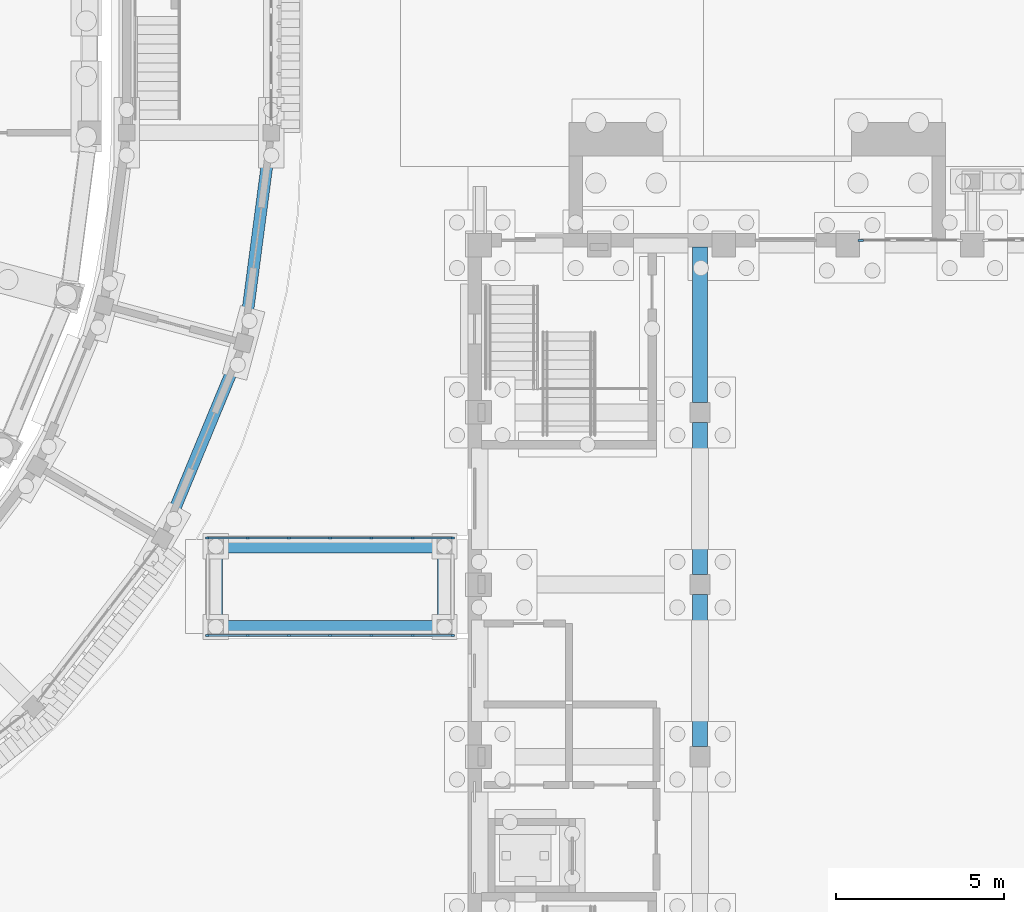
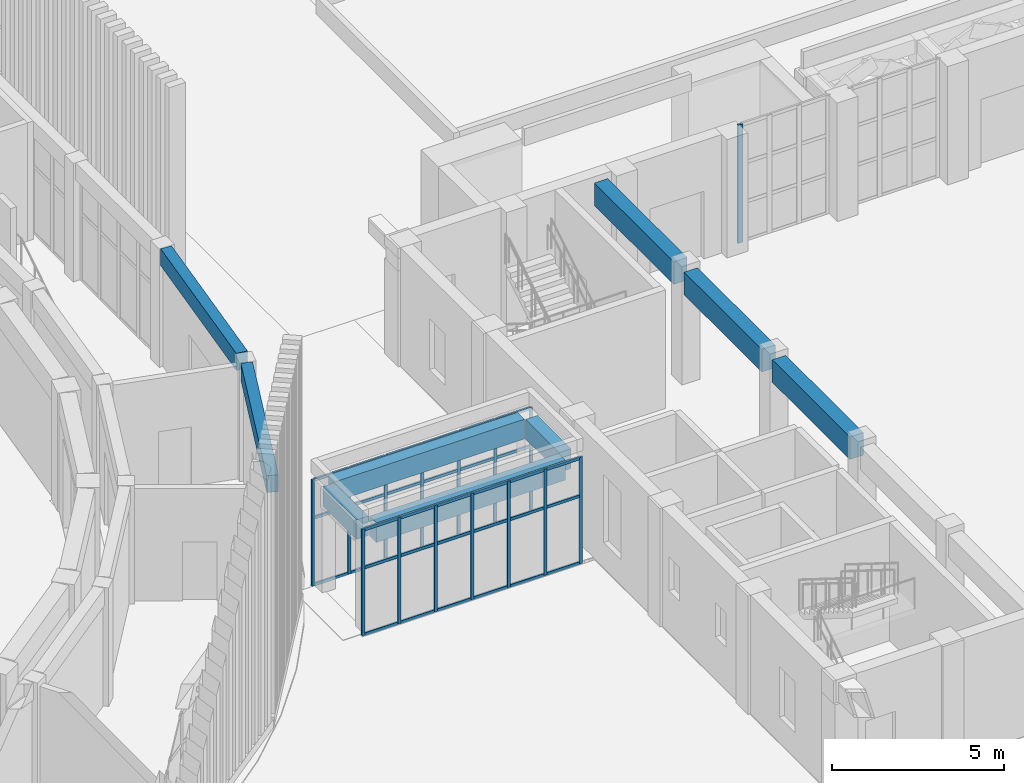
# One storey, part 22 of 112: 51 members, 9 beams, 3 elements without a shape of their own.
"""IFC4 building model written with IfcOpenShell, lengths in metres."""

import ifcopenshell
import ifcopenshell.guid

model = None  # the IFC model being written
_history = None  # IfcOwnerHistory: only IFC2X3 demands one
_inside = {}  # id of a spatial element -> (the spatial element, [elements in it])
_under = {}  # id of a project, library or spatial element -> (it, [spatial elements below it])
_declared = {}  # id of a project -> (the project, [libraries it declares])
_typed = {}  # id of a type object -> (the type object, [elements of that type])
_made_of = {}  # id of a material, layer set ... -> (it, [elements and type objects made of it])


def new_model(schema):
    """Start an empty IFC model of exactly this schema.

    Asked for "IFC4X3", IfcOpenShell would pick the latest addendum, in which some entities
    have other attributes; the version numbers below select the first issue.
    IFC2X3 requires an IfcOwnerHistory on every rooted entity: one is made here for all.
    """
    global model, _history
    if schema == "IFC4X3":
        model = ifcopenshell.file(schema_version=(4, 3, 0, 0))
    else:
        model = ifcopenshell.file(schema=schema)
    _inside.clear()
    _under.clear()
    _declared.clear()
    _typed.clear()
    _made_of.clear()
    _history = None
    if model.schema == "IFC2X3":
        org = make("IfcOrganization", Name="unknown")
        user = make(
            "IfcPersonAndOrganization",
            ThePerson=make("IfcPerson", FamilyName="unknown"),
            TheOrganization=org,
        )
        app = make(
            "IfcApplication",
            ApplicationDeveloper=org,
            Version="unknown",
            ApplicationFullName="unknown",
            ApplicationIdentifier="unknown",
        )
        _history = make(
            "IfcOwnerHistory",
            OwningUser=user,
            OwningApplication=app,
            ChangeAction="ADDED",
            CreationDate=0,
        )
    return model


def make(cls, **values):
    """One entity of the class cls with the attributes given. An attribute that is None is left unset."""
    return model.create_entity(
        cls, **{name: value for name, value in values.items() if value is not None}
    )


def rooted(cls, **values):
    """An entity with a GlobalId (a new one), such as an element, a storey or a relation."""
    return make(cls, GlobalId=ifcopenshell.guid.new(), OwnerHistory=_history, **values)


def si_unit(unit_type, name, prefix=None):
    """IfcSIUnit, for example si_unit("LENGTHUNIT", "METRE", prefix="MILLI")."""
    return make("IfcSIUnit", UnitType=unit_type, Prefix=prefix, Name=name)


def assignment(units):
    """IfcUnitAssignment: the units of a project."""
    return None if units is None else make("IfcUnitAssignment", Units=units)


def point(xyz):
    """IfcCartesianPoint."""
    return None if xyz is None else make("IfcCartesianPoint", Coordinates=xyz)


def direction(xyz):
    """IfcDirection."""
    return None if xyz is None else make("IfcDirection", DirectionRatios=xyz)


def frame(location, z_axis=None, x_axis=None):
    """IfcAxis2Placement3D, a coordinate frame: its origin and axes. An axis left out is left unset."""
    return make(
        "IfcAxis2Placement3D",
        Location=point(location),
        Axis=direction(z_axis),
        RefDirection=direction(x_axis),
    )


def frame_2d(location, x_axis=None):
    """IfcAxis2Placement2D, a coordinate frame in the plane: its origin and x axis."""
    return make(
        "IfcAxis2Placement2D", Location=point(location), RefDirection=direction(x_axis)
    )


def origin():
    """The frame at (0, 0, 0) with its axes left unset."""
    return frame((0.0, 0.0, 0.0))


def origin_2d():
    """The frame at (0, 0) in the plane with its x axis left unset."""
    return frame_2d((0.0, 0.0))


def place(relative_to, where):
    """IfcLocalPlacement: puts the frame where relative to a parent placement (None: the world)."""
    return make(
        "IfcLocalPlacement", PlacementRelTo=relative_to, RelativePlacement=where
    )


def context(
    kind, dimensions, precision=None, world=None, true_north=None, identifier=None
):
    """IfcGeometricRepresentationContext, for example the 3D "Model" context."""
    return make(
        "IfcGeometricRepresentationContext",
        ContextIdentifier=identifier,
        ContextType=kind,
        CoordinateSpaceDimension=dimensions,
        Precision=precision,
        WorldCoordinateSystem=world,
        TrueNorth=true_north,
    )


def subcontext(parent, identifier, kind, view, scale=None):
    """IfcGeometricRepresentationSubContext, for example "Body" below "Model"."""
    return make(
        "IfcGeometricRepresentationSubContext",
        ContextIdentifier=identifier,
        ContextType=kind,
        ParentContext=parent,
        TargetScale=scale,
        TargetView=view,
    )


def project(units=None, contexts=None):
    """IfcProject with its units and contexts."""
    return rooted(
        "IfcProject",
        Name="project",
        RepresentationContexts=contexts,
        UnitsInContext=assignment(units),
    )


def spatial(cls, under=None, at=None, **own):
    """A site, building, storey or space (cls), placed at a placement, below another one or the project."""
    s = rooted(cls, ObjectPlacement=at, **own)
    if under is not None:
        _under.setdefault(under.id(), (under, []))[1].append(s)
    return s


def profile(cls, at=None, kind="AREA", **sizes):
    """A parametric profile (cls). Its sizes go by their IFC names, for example OverallWidth=200.0."""
    return make(cls, ProfileType=kind, Position=at, **sizes)


def rectangle(**sizes):
    """IfcRectangleProfileDef."""
    return profile("IfcRectangleProfileDef", **sizes)


def extrude(swept, where, along, depth):
    """IfcExtrudedAreaSolid: the profile swept, set in the frame where, extruded along a direction by depth."""
    return make(
        "IfcExtrudedAreaSolid",
        SweptArea=swept,
        Position=where,
        ExtrudedDirection=direction(along),
        Depth=depth,
    )


def shape(context_of_items, identifier, shape_type, items):
    """IfcShapeRepresentation: the items that make up one representation, for example the "Body"."""
    return make(
        "IfcShapeRepresentation",
        ContextOfItems=context_of_items,
        RepresentationIdentifier=identifier,
        RepresentationType=shape_type,
        Items=items,
    )


def material(Name=None, Category=None):
    """IfcMaterial."""
    return make("IfcMaterial", Name=Name, Category=Category)


def layer(
    of_material, thickness, ventilated=None, Name=None, Category=None, Priority=None
):
    """IfcMaterialLayer: one layer of a wall or slab, of a material (None: an air gap)."""
    return make(
        "IfcMaterialLayer",
        Material=of_material,
        LayerThickness=thickness,
        IsVentilated=ventilated,
        Name=Name,
        Category=Category,
        Priority=Priority,
    )


def layer_set(layers, Name=None):
    """IfcMaterialLayerSet."""
    return make("IfcMaterialLayerSet", MaterialLayers=layers, LayerSetName=Name)


def material_profile(
    of_material, cross_section, Name=None, Category=None, Priority=None
):
    """IfcMaterialProfile: a cross section and its material."""
    return make(
        "IfcMaterialProfile",
        Name=Name,
        Material=of_material,
        Profile=cross_section,
        Priority=Priority,
        Category=Category,
    )


def profile_set(profiles, Name=None, composite=None):
    """IfcMaterialProfileSet."""
    return make(
        "IfcMaterialProfileSet",
        Name=Name,
        MaterialProfiles=profiles,
        CompositeProfile=composite,
    )


def made_of(thing, what):
    """Note that an element or type object is made of a material, layer set ...; save() writes the relation."""
    if what is not None:
        _made_of.setdefault(what.id(), (what, []))[1].append(thing)
    return thing


def type_object(cls, material=None, **own):
    """A type object (cls), such as IfcWallType, which elements share."""
    return made_of(rooted(cls, **own), material)


def element(
    cls,
    number,
    at=None,
    inside=None,
    cuts=None,
    type_object=None,
    material=None,
    context=None,
    identifier="Body",
    shape_type=None,
    held_by="IfcProductDefinitionShape",
    body=None,
    shapes=None,
    **own,
):
    """One element of the class cls, such as IfcWall. Its Tag is "e" and its number.

    at: its placement. inside: the storey or other place that contains it. cuts: it is an
    opening in that element (IfcRelVoidsElement). A single representation is given by context,
    identifier, shape_type and body (its items); several are given by shapes. held_by: the class
    of the entity that holds the representations. save() writes the other relations.
    """
    e = rooted(cls, Tag="e%d" % number, ObjectPlacement=at, **own)
    if body is not None:
        shapes = [shape(context, identifier, shape_type, body)]
    if shapes is not None:
        e.Representation = make(held_by, Representations=shapes)
    if inside is not None:
        _inside.setdefault(inside.id(), (inside, []))[1].append(e)
    if cuts is not None:
        rooted(
            "IfcRelVoidsElement", RelatingBuildingElement=cuts, RelatedOpeningElement=e
        )
    if type_object is not None:
        _typed.setdefault(type_object.id(), (type_object, []))[1].append(e)
    return made_of(e, material)


def aggregate(whole, parts):
    """IfcRelAggregates: a whole, such as a stair, and the parts it consists of."""
    return rooted("IfcRelAggregates", RelatingObject=whole, RelatedObjects=parts)


def save(model, path):
    """Write the relations noted so far, then the file.

    IfcRelAggregates (storeys below a building ...), IfcRelContainedInSpatialStructure (elements
    in a storey), IfcRelDefinesByType, IfcRelAssociatesMaterial and IfcRelDeclares: one each for
    every whole, place, type object, material and project.
    """
    for whole, parts in _under.values():
        aggregate(whole, parts)
    for where, things in _inside.values():
        rooted(
            "IfcRelContainedInSpatialStructure",
            RelatedElements=things,
            RelatingStructure=where,
        )
    for kind, things in _typed.values():
        rooted("IfcRelDefinesByType", RelatedObjects=things, RelatingType=kind)
    for what, things in _made_of.values():
        rooted("IfcRelAssociatesMaterial", RelatedObjects=things, RelatingMaterial=what)
    for by, libraries in _declared.values():
        rooted("IfcRelDeclares", RelatingContext=by, RelatedDefinitions=libraries)
    model.write(path)


model = new_model("IFC4")

# Units and contexts
model_context = context("Model", 3, precision=1e-05, world=origin(), true_north=direction((0.0, 1.0)))
body_context = subcontext(model_context, "Body", "Model", "MODEL_VIEW")
ifc_project = project(units=[si_unit("LENGTHUNIT", "METRE"), si_unit("AREAUNIT", "SQUARE_METRE"), si_unit("VOLUMEUNIT", "CUBIC_METRE"), si_unit("PLANEANGLEUNIT", "RADIAN"), si_unit("MASSUNIT", "GRAM", prefix="KILO")], contexts=[model_context])

# Site, building, storey
site_placement = place(None, origin())
site = spatial("IfcSite", under=ifc_project, at=site_placement, CompositionType="ELEMENT")
building_placement = place(site_placement, origin())
building = spatial("IfcBuilding", under=site, at=building_placement, Name="Wasatch Bagh Community Centre", CompositionType="ELEMENT")
storey_placement = place(building_placement, origin())
storey = spatial("IfcBuildingStorey", under=building, at=storey_placement, Name="L00", CompositionType="ELEMENT", Elevation=0.0)

# Beams
ifc_material_1 = material(Name="Concrete C35", Category="concrete")
ifc_material_profile_1 = material_profile(ifc_material_1, rectangle(XDim=0.449951171875, YDim=0.800048828125, at=origin_2d()), Name="RC 450x800")
ifc_profile_set_1 = profile_set([ifc_material_profile_1], Name="Concrete C35")
beam_type_1 = type_object("IfcBeamType", Name="DH RC 450x800 beam", PredefinedType="BEAM", material=ifc_profile_set_1)
beam_1_placement = place(storey_placement, frame((72.89990234375, 16.739990234375, 3.580078125), z_axis=(0.0, 1.0, 0.0), x_axis=(-1.0, 0.0, 0.0)))
element("IfcBeam", 1, at=beam_1_placement, inside=storey, type_object=beam_type_1, Name="DH.beam.L00.gal3", PredefinedType="BEAM", context=body_context, shape_type="SweptSolid", body=[
    extrude(rectangle(XDim=0.449951171875, YDim=0.800048828125, at=origin_2d()), origin(), (0.0, 0.0, 1.0), 4.52001953125),
])
beam_2_placement = place(storey_placement, frame((72.89990234375, 21.860107421875, 3.580078125), z_axis=(0.0, 1.0, 0.0), x_axis=(-1.0, 0.0, 0.0)))
element("IfcBeam", 2, at=beam_2_placement, inside=storey, type_object=beam_type_1, Name="DH.beam.L00.gal4", PredefinedType="BEAM", context=body_context, shape_type="SweptSolid", body=[
    extrude(rectangle(XDim=0.449951171875, YDim=0.800048828125, at=origin_2d()), origin(), (0.0, 0.0, 1.0), 4.519775390625),
])
beam_3_placement = place(storey_placement, frame((72.89990234375, 26.97998046875, 3.580078125), z_axis=(0.0, 1.0, 0.0), x_axis=(-1.0, 0.0, 0.0)))
element("IfcBeam", 3, at=beam_3_placement, inside=storey, type_object=beam_type_1, Name="DH.beam.L00.gal5", PredefinedType="BEAM", context=body_context, shape_type="SweptSolid", body=[
    extrude(rectangle(XDim=0.449951171875, YDim=0.800048828125, at=origin_2d()), origin(), (0.0, 0.0, 1.0), 4.6201171875),
])

# Curtain wall, member
ifc_material_2 = material(Name="Aluminium alloy 6063-T6", Category="aluminium")
ifc_layer_1 = layer(ifc_material_2, 0.10009765625)
ifc_layer_set_1 = layer_set([ifc_layer_1], Name="Aluminium alloy 6063-T6")
curtain_wall_type_1 = type_object("IfcCurtainWallType", Name="DH-CW1", PredefinedType="NOTDEFINED", material=ifc_layer_set_1)
curtain_wall_1_placement = place(storey_placement, origin())
curtain_wall_1 = element("IfcCurtainWall", 4, at=curtain_wall_1_placement, inside=storey, type_object=curtain_wall_type_1, Name="Curtain wall DH-CW1", PredefinedType="NOTDEFINED")
ifc_material_profile_2 = material_profile(ifc_material_2, rectangle(XDim=0.06005859375, YDim=0.159912109375, at=origin_2d()), Name="AL 60x160")
ifc_profile_set_2 = profile_set([ifc_material_profile_2], Name="Aluminium alloy 6063-T6")
member_type_1 = type_object("IfcMemberType", Name="DH-CW1 mullion", PredefinedType="MULLION", material=ifc_profile_set_2)
member_1_placement = place(storey_placement, frame((77.679931640625, 31.800048828125, 0.0), z_axis=(0.0, 0.0, 1.0), x_axis=(0.0, 1.0, 0.0)))
member_1 = element("IfcMember", 5, at=member_1_placement, type_object=member_type_1, Name="DH-CW1 mullion 1", PredefinedType="MULLION", context=body_context, shape_type="SweptSolid", body=[
    extrude(rectangle(XDim=0.06005859375, YDim=0.159912109375, at=origin_2d()), origin(), (0.0, 0.0, 1.0), 4.199951171875),
])
aggregate(curtain_wall_1, [member_1])

# Beams
ifc_material_profile_3 = material_profile(ifc_material_1, rectangle(XDim=0.35009765625, YDim=0.60009765625, at=origin_2d()), Name="RC 350x600")
ifc_profile_set_3 = profile_set([ifc_material_profile_3], Name="Concrete C35")
beam_type_2 = type_object("IfcBeamType", Name="Drum ring beam RC 350x600", PredefinedType="BEAM", material=ifc_profile_set_3)
beam_4_placement = place(storey_placement, frame((57.02001953125, 23.1796875, 3.89990234375), z_axis=(0.38268910224, 0.923877183952, 0.0), x_axis=(-0.923877183952, 0.38268910224, 0.0)))
element("IfcBeam", 6, at=beam_4_placement, inside=storey, type_object=beam_type_2, Name="Ring beam 4.2 DO-S10-DO-S11", PredefinedType="BEAM", context=body_context, shape_type="SweptSolid", body=[
    extrude(rectangle(XDim=0.35009765625, YDim=0.60009765625, at=origin_2d()), origin(), (0.0, 0.0, 1.0), 5.753173828125),
])
beam_5_placement = place(storey_placement, frame((59.363037109375, 29.02294921875, 3.89990234375), z_axis=(0.130540139759, 0.991443025046, 0.0), x_axis=(-0.991443025046, 0.130540139759, 0.0)))
element("IfcBeam", 7, at=beam_5_placement, inside=storey, type_object=beam_type_2, Name="Ring beam 4.2 DO-S11-DO-E1", PredefinedType="BEAM", context=body_context, shape_type="SweptSolid", body=[
    extrude(rectangle(XDim=0.35009765625, YDim=0.60009765625, at=origin_2d()), origin(), (0.0, 0.0, 1.0), 5.7529296875),
])

# Curtain wall, members
ifc_material_3 = material(Name="Aluminium curtain wall frame with low-iron insulated glass", Category="aluminium")
ifc_layer_2 = layer(ifc_material_3, 0.10009765625)
ifc_layer_set_2 = layer_set([ifc_layer_2], Name="Aluminium curtain wall frame with low-iron insulated glass")
curtain_wall_type_2 = type_object("IfcCurtainWallType", Name="PA curtain wall PA-CW2", PredefinedType="NOTDEFINED", material=ifc_layer_set_2)
curtain_wall_2_placement = place(storey_placement, origin())
curtain_wall_2 = element("IfcCurtainWall", 8, at=curtain_wall_2_placement, inside=storey, type_object=curtain_wall_type_2, Name="Curtain wall PA-CW2 PA2.1", PredefinedType="NOTDEFINED")
ifc_material_4 = material(Name="Anodised aluminium", Category="aluminium")
ifc_material_profile_4 = material_profile(ifc_material_4, rectangle(XDim=0.06005859375, YDim=0.10009765625, at=origin_2d()), Name="PA mullion PA-CW2")
ifc_profile_set_4 = profile_set([ifc_material_profile_4], Name="Anodised aluminium")
member_type_2 = type_object("IfcMemberType", Name="PA mullion PA-CW2", PredefinedType="MULLION", material=ifc_profile_set_4)
member_2_placement = place(storey_placement, frame((58.25, 20.049072265625, 0.0), z_axis=(0.0, 0.0, 1.0), x_axis=(0.0, 1.0, 0.0)))
member_2 = element("IfcMember", 9, at=member_2_placement, type_object=member_type_2, Name="PA-CW2 mullion 1", PredefinedType="MULLION", context=body_context, shape_type="SweptSolid", body=[
    extrude(rectangle(XDim=0.06005859375, YDim=0.10009765625, at=origin_2d()), origin(), (0.0, 0.0, 1.0), 3.77001953125),
])
member_3_placement = place(storey_placement, frame((59.44677734375, 20.049072265625, 0.0), z_axis=(0.0, 0.0, 1.0), x_axis=(0.0, 1.0, 0.0)))
member_3 = element("IfcMember", 10, at=member_3_placement, type_object=member_type_2, Name="PA-CW2 mullion 2", PredefinedType="MULLION", context=body_context, shape_type="SweptSolid", body=[
    extrude(rectangle(XDim=0.06005859375, YDim=0.10009765625, at=origin_2d()), origin(), (0.0, 0.0, 1.0), 3.77001953125),
])
member_4_placement = place(storey_placement, frame((60.67333984375, 20.049072265625, 0.0), z_axis=(0.0, 0.0, 1.0), x_axis=(0.0, 1.0, 0.0)))
member_4 = element("IfcMember", 11, at=member_4_placement, type_object=member_type_2, Name="PA-CW2 mullion 3", PredefinedType="MULLION", context=body_context, shape_type="SweptSolid", body=[
    extrude(rectangle(XDim=0.06005859375, YDim=0.10009765625, at=origin_2d()), origin(), (0.0, 0.0, 1.0), 3.77001953125),
])
member_5_placement = place(storey_placement, frame((61.89990234375, 20.049072265625, 0.0), z_axis=(0.0, 0.0, 1.0), x_axis=(0.0, 1.0, 0.0)))
member_5 = element("IfcMember", 12, at=member_5_placement, type_object=member_type_2, Name="PA-CW2 mullion 4", PredefinedType="MULLION", context=body_context, shape_type="SweptSolid", body=[
    extrude(rectangle(XDim=0.06005859375, YDim=0.10009765625, at=origin_2d()), origin(), (0.0, 0.0, 1.0), 3.77001953125),
])
member_6_placement = place(storey_placement, frame((63.126708984375, 20.049072265625, 0.0), z_axis=(0.0, 0.0, 1.0), x_axis=(0.0, 1.0, 0.0)))
member_6 = element("IfcMember", 13, at=member_6_placement, type_object=member_type_2, Name="PA-CW2 mullion 5", PredefinedType="MULLION", context=body_context, shape_type="SweptSolid", body=[
    extrude(rectangle(XDim=0.06005859375, YDim=0.10009765625, at=origin_2d()), origin(), (0.0, 0.0, 1.0), 3.77001953125),
])
member_7_placement = place(storey_placement, frame((64.353271484375, 20.049072265625, 0.0), z_axis=(0.0, 0.0, 1.0), x_axis=(0.0, 1.0, 0.0)))
member_7 = element("IfcMember", 14, at=member_7_placement, type_object=member_type_2, Name="PA-CW2 mullion 6", PredefinedType="MULLION", context=body_context, shape_type="SweptSolid", body=[
    extrude(rectangle(XDim=0.06005859375, YDim=0.10009765625, at=origin_2d()), origin(), (0.0, 0.0, 1.0), 3.77001953125),
])
member_8_placement = place(storey_placement, frame((65.550048828125, 20.049072265625, 0.0), z_axis=(0.0, 0.0, 1.0), x_axis=(0.0, 1.0, 0.0)))
member_8 = element("IfcMember", 15, at=member_8_placement, type_object=member_type_2, Name="PA-CW2 mullion 7", PredefinedType="MULLION", context=body_context, shape_type="SweptSolid", body=[
    extrude(rectangle(XDim=0.06005859375, YDim=0.10009765625, at=origin_2d()), origin(), (0.0, 0.0, 1.0), 3.77001953125),
])

curtain_wall_3_placement = place(storey_placement, origin())
curtain_wall_3 = element("IfcCurtainWall", 16, at=curtain_wall_3_placement, inside=storey, type_object=curtain_wall_type_2, Name="Curtain wall PA-CW2 PA2.2", PredefinedType="NOTDEFINED")
member_9_placement = place(storey_placement, frame((58.25, 22.950927734375, 0.0), z_axis=(0.0, 0.0, 1.0), x_axis=(0.0, 1.0, 0.0)))
member_9 = element("IfcMember", 17, at=member_9_placement, type_object=member_type_2, Name="PA-CW2 mullion 1", PredefinedType="MULLION", context=body_context, shape_type="SweptSolid", body=[
    extrude(rectangle(XDim=0.06005859375, YDim=0.10009765625, at=origin_2d()), origin(), (0.0, 0.0, 1.0), 3.77001953125),
])
member_10_placement = place(storey_placement, frame((59.44677734375, 22.950927734375, 0.0), z_axis=(0.0, 0.0, 1.0), x_axis=(0.0, 1.0, 0.0)))
member_10 = element("IfcMember", 18, at=member_10_placement, type_object=member_type_2, Name="PA-CW2 mullion 2", PredefinedType="MULLION", context=body_context, shape_type="SweptSolid", body=[
    extrude(rectangle(XDim=0.06005859375, YDim=0.10009765625, at=origin_2d()), origin(), (0.0, 0.0, 1.0), 3.77001953125),
])
member_11_placement = place(storey_placement, frame((60.67333984375, 22.950927734375, 0.0), z_axis=(0.0, 0.0, 1.0), x_axis=(0.0, 1.0, 0.0)))
member_11 = element("IfcMember", 19, at=member_11_placement, type_object=member_type_2, Name="PA-CW2 mullion 3", PredefinedType="MULLION", context=body_context, shape_type="SweptSolid", body=[
    extrude(rectangle(XDim=0.06005859375, YDim=0.10009765625, at=origin_2d()), origin(), (0.0, 0.0, 1.0), 3.77001953125),
])
member_12_placement = place(storey_placement, frame((61.89990234375, 22.950927734375, 0.0), z_axis=(0.0, 0.0, 1.0), x_axis=(0.0, 1.0, 0.0)))
member_12 = element("IfcMember", 20, at=member_12_placement, type_object=member_type_2, Name="PA-CW2 mullion 4", PredefinedType="MULLION", context=body_context, shape_type="SweptSolid", body=[
    extrude(rectangle(XDim=0.06005859375, YDim=0.10009765625, at=origin_2d()), origin(), (0.0, 0.0, 1.0), 3.77001953125),
])
member_13_placement = place(storey_placement, frame((63.126708984375, 22.950927734375, 0.0), z_axis=(0.0, 0.0, 1.0), x_axis=(0.0, 1.0, 0.0)))
member_13 = element("IfcMember", 21, at=member_13_placement, type_object=member_type_2, Name="PA-CW2 mullion 5", PredefinedType="MULLION", context=body_context, shape_type="SweptSolid", body=[
    extrude(rectangle(XDim=0.06005859375, YDim=0.10009765625, at=origin_2d()), origin(), (0.0, 0.0, 1.0), 3.77001953125),
])
member_14_placement = place(storey_placement, frame((64.353271484375, 22.950927734375, 0.0), z_axis=(0.0, 0.0, 1.0), x_axis=(0.0, 1.0, 0.0)))
member_14 = element("IfcMember", 22, at=member_14_placement, type_object=member_type_2, Name="PA-CW2 mullion 6", PredefinedType="MULLION", context=body_context, shape_type="SweptSolid", body=[
    extrude(rectangle(XDim=0.06005859375, YDim=0.10009765625, at=origin_2d()), origin(), (0.0, 0.0, 1.0), 3.77001953125),
])
member_15_placement = place(storey_placement, frame((65.550048828125, 22.950927734375, 0.0), z_axis=(0.0, 0.0, 1.0), x_axis=(0.0, 1.0, 0.0)))
member_15 = element("IfcMember", 23, at=member_15_placement, type_object=member_type_2, Name="PA-CW2 mullion 7", PredefinedType="MULLION", context=body_context, shape_type="SweptSolid", body=[
    extrude(rectangle(XDim=0.06005859375, YDim=0.10009765625, at=origin_2d()), origin(), (0.0, 0.0, 1.0), 3.77001953125),
])

# Member
ifc_material_profile_5 = material_profile(ifc_material_4, rectangle(XDim=0.06005859375, YDim=0.10009765625, at=origin_2d()), Name="PA transom PA-CW2")
ifc_profile_set_5 = profile_set([ifc_material_profile_5], Name="Anodised aluminium")
member_type_3 = type_object("IfcMemberType", Name="PA transom PA-CW2", PredefinedType="USERDEFINED", material=ifc_profile_set_5)
member_16_placement = place(storey_placement, frame((58.280029296875, 20.049072265625, 0.030029296875), z_axis=(1.0, 0.0, 0.0), x_axis=(0.0, 1.0, 0.0)))
member_16 = element("IfcMember", 24, at=member_16_placement, type_object=member_type_3, Name="PA-CW2 transom 1.1", ObjectType="TRANSOM", PredefinedType="USERDEFINED", context=body_context, shape_type="SweptSolid", body=[
    extrude(rectangle(XDim=0.06005859375, YDim=0.10009765625, at=origin_2d()), origin(), (0.0, 0.0, 1.0), 1.13671875),
])

member_17_placement = place(storey_placement, frame((58.280029296875, 20.049072265625, 2.39990234375), z_axis=(1.0, 0.0, 0.0), x_axis=(0.0, 1.0, 0.0)))
member_17 = element("IfcMember", 25, at=member_17_placement, type_object=member_type_3, Name="PA-CW2 transom 1.2", ObjectType="TRANSOM", PredefinedType="USERDEFINED", context=body_context, shape_type="SweptSolid", body=[
    extrude(rectangle(XDim=0.06005859375, YDim=0.10009765625, at=origin_2d()), origin(), (0.0, 0.0, 1.0), 1.13671875),
])

member_18_placement = place(storey_placement, frame((58.280029296875, 20.049072265625, 3.739990234375), z_axis=(1.0, 0.0, 0.0), x_axis=(0.0, 1.0, 0.0)))
member_18 = element("IfcMember", 26, at=member_18_placement, type_object=member_type_3, Name="PA-CW2 transom 1.3", ObjectType="TRANSOM", PredefinedType="USERDEFINED", context=body_context, shape_type="SweptSolid", body=[
    extrude(rectangle(XDim=0.06005859375, YDim=0.10009765625, at=origin_2d()), origin(), (0.0, 0.0, 1.0), 1.13671875),
])

member_19_placement = place(storey_placement, frame((59.4765625, 20.049072265625, 0.030029296875), z_axis=(1.0, 0.0, 0.0), x_axis=(0.0, 1.0, 0.0)))
member_19 = element("IfcMember", 27, at=member_19_placement, type_object=member_type_3, Name="PA-CW2 transom 2.1", ObjectType="TRANSOM", PredefinedType="USERDEFINED", context=body_context, shape_type="SweptSolid", body=[
    extrude(rectangle(XDim=0.06005859375, YDim=0.10009765625, at=origin_2d()), origin(), (0.0, 0.0, 1.0), 1.166748046875),
])

member_20_placement = place(storey_placement, frame((59.4765625, 20.049072265625, 2.39990234375), z_axis=(1.0, 0.0, 0.0), x_axis=(0.0, 1.0, 0.0)))
member_20 = element("IfcMember", 28, at=member_20_placement, type_object=member_type_3, Name="PA-CW2 transom 2.2", ObjectType="TRANSOM", PredefinedType="USERDEFINED", context=body_context, shape_type="SweptSolid", body=[
    extrude(rectangle(XDim=0.06005859375, YDim=0.10009765625, at=origin_2d()), origin(), (0.0, 0.0, 1.0), 1.166748046875),
])

member_21_placement = place(storey_placement, frame((59.4765625, 20.049072265625, 3.739990234375), z_axis=(1.0, 0.0, 0.0), x_axis=(0.0, 1.0, 0.0)))
member_21 = element("IfcMember", 29, at=member_21_placement, type_object=member_type_3, Name="PA-CW2 transom 2.3", ObjectType="TRANSOM", PredefinedType="USERDEFINED", context=body_context, shape_type="SweptSolid", body=[
    extrude(rectangle(XDim=0.06005859375, YDim=0.10009765625, at=origin_2d()), origin(), (0.0, 0.0, 1.0), 1.166748046875),
])

member_22_placement = place(storey_placement, frame((60.703369140625, 20.049072265625, 0.030029296875), z_axis=(1.0, 0.0, 0.0), x_axis=(0.0, 1.0, 0.0)))
member_22 = element("IfcMember", 30, at=member_22_placement, type_object=member_type_3, Name="PA-CW2 transom 3.1", ObjectType="TRANSOM", PredefinedType="USERDEFINED", context=body_context, shape_type="SweptSolid", body=[
    extrude(rectangle(XDim=0.06005859375, YDim=0.10009765625, at=origin_2d()), origin(), (0.0, 0.0, 1.0), 1.166748046875),
])

member_23_placement = place(storey_placement, frame((60.703369140625, 20.049072265625, 2.39990234375), z_axis=(1.0, 0.0, 0.0), x_axis=(0.0, 1.0, 0.0)))
member_23 = element("IfcMember", 31, at=member_23_placement, type_object=member_type_3, Name="PA-CW2 transom 3.2", ObjectType="TRANSOM", PredefinedType="USERDEFINED", context=body_context, shape_type="SweptSolid", body=[
    extrude(rectangle(XDim=0.06005859375, YDim=0.10009765625, at=origin_2d()), origin(), (0.0, 0.0, 1.0), 1.166748046875),
])

member_24_placement = place(storey_placement, frame((60.703369140625, 20.049072265625, 3.739990234375), z_axis=(1.0, 0.0, 0.0), x_axis=(0.0, 1.0, 0.0)))
member_24 = element("IfcMember", 32, at=member_24_placement, type_object=member_type_3, Name="PA-CW2 transom 3.3", ObjectType="TRANSOM", PredefinedType="USERDEFINED", context=body_context, shape_type="SweptSolid", body=[
    extrude(rectangle(XDim=0.06005859375, YDim=0.10009765625, at=origin_2d()), origin(), (0.0, 0.0, 1.0), 1.166748046875),
])

member_25_placement = place(storey_placement, frame((61.929931640625, 20.049072265625, 0.030029296875), z_axis=(1.0, 0.0, 0.0), x_axis=(0.0, 1.0, 0.0)))
member_25 = element("IfcMember", 33, at=member_25_placement, type_object=member_type_3, Name="PA-CW2 transom 4.1", ObjectType="TRANSOM", PredefinedType="USERDEFINED", context=body_context, shape_type="SweptSolid", body=[
    extrude(rectangle(XDim=0.06005859375, YDim=0.10009765625, at=origin_2d()), origin(), (0.0, 0.0, 1.0), 1.166748046875),
])

member_26_placement = place(storey_placement, frame((61.929931640625, 20.049072265625, 2.39990234375), z_axis=(1.0, 0.0, 0.0), x_axis=(0.0, 1.0, 0.0)))
member_26 = element("IfcMember", 34, at=member_26_placement, type_object=member_type_3, Name="PA-CW2 transom 4.2", ObjectType="TRANSOM", PredefinedType="USERDEFINED", context=body_context, shape_type="SweptSolid", body=[
    extrude(rectangle(XDim=0.06005859375, YDim=0.10009765625, at=origin_2d()), origin(), (0.0, 0.0, 1.0), 1.166748046875),
])

member_27_placement = place(storey_placement, frame((61.929931640625, 20.049072265625, 3.739990234375), z_axis=(1.0, 0.0, 0.0), x_axis=(0.0, 1.0, 0.0)))
member_27 = element("IfcMember", 35, at=member_27_placement, type_object=member_type_3, Name="PA-CW2 transom 4.3", ObjectType="TRANSOM", PredefinedType="USERDEFINED", context=body_context, shape_type="SweptSolid", body=[
    extrude(rectangle(XDim=0.06005859375, YDim=0.10009765625, at=origin_2d()), origin(), (0.0, 0.0, 1.0), 1.166748046875),
])

member_28_placement = place(storey_placement, frame((63.15673828125, 20.049072265625, 0.030029296875), z_axis=(1.0, 0.0, 0.0), x_axis=(0.0, 1.0, 0.0)))
member_28 = element("IfcMember", 36, at=member_28_placement, type_object=member_type_3, Name="PA-CW2 transom 5.1", ObjectType="TRANSOM", PredefinedType="USERDEFINED", context=body_context, shape_type="SweptSolid", body=[
    extrude(rectangle(XDim=0.06005859375, YDim=0.10009765625, at=origin_2d()), origin(), (0.0, 0.0, 1.0), 1.16650390625),
])

member_29_placement = place(storey_placement, frame((63.15673828125, 20.049072265625, 2.39990234375), z_axis=(1.0, 0.0, 0.0), x_axis=(0.0, 1.0, 0.0)))
member_29 = element("IfcMember", 37, at=member_29_placement, type_object=member_type_3, Name="PA-CW2 transom 5.2", ObjectType="TRANSOM", PredefinedType="USERDEFINED", context=body_context, shape_type="SweptSolid", body=[
    extrude(rectangle(XDim=0.06005859375, YDim=0.10009765625, at=origin_2d()), origin(), (0.0, 0.0, 1.0), 1.16650390625),
])

member_30_placement = place(storey_placement, frame((63.15673828125, 20.049072265625, 3.739990234375), z_axis=(1.0, 0.0, 0.0), x_axis=(0.0, 1.0, 0.0)))
member_30 = element("IfcMember", 38, at=member_30_placement, type_object=member_type_3, Name="PA-CW2 transom 5.3", ObjectType="TRANSOM", PredefinedType="USERDEFINED", context=body_context, shape_type="SweptSolid", body=[
    extrude(rectangle(XDim=0.06005859375, YDim=0.10009765625, at=origin_2d()), origin(), (0.0, 0.0, 1.0), 1.16650390625),
])

member_31_placement = place(storey_placement, frame((64.38330078125, 20.049072265625, 0.030029296875), z_axis=(1.0, 0.0, 0.0), x_axis=(0.0, 1.0, 0.0)))
member_31 = element("IfcMember", 39, at=member_31_placement, type_object=member_type_3, Name="PA-CW2 transom 6.1", ObjectType="TRANSOM", PredefinedType="USERDEFINED", context=body_context, shape_type="SweptSolid", body=[
    extrude(rectangle(XDim=0.06005859375, YDim=0.10009765625, at=origin_2d()), origin(), (0.0, 0.0, 1.0), 1.13671875),
])

member_32_placement = place(storey_placement, frame((64.38330078125, 20.049072265625, 2.39990234375), z_axis=(1.0, 0.0, 0.0), x_axis=(0.0, 1.0, 0.0)))
member_32 = element("IfcMember", 40, at=member_32_placement, type_object=member_type_3, Name="PA-CW2 transom 6.2", ObjectType="TRANSOM", PredefinedType="USERDEFINED", context=body_context, shape_type="SweptSolid", body=[
    extrude(rectangle(XDim=0.06005859375, YDim=0.10009765625, at=origin_2d()), origin(), (0.0, 0.0, 1.0), 1.13671875),
])

member_33_placement = place(storey_placement, frame((64.38330078125, 20.049072265625, 3.739990234375), z_axis=(1.0, 0.0, 0.0), x_axis=(0.0, 1.0, 0.0)))
member_33 = element("IfcMember", 41, at=member_33_placement, type_object=member_type_3, Name="PA-CW2 transom 6.3", ObjectType="TRANSOM", PredefinedType="USERDEFINED", context=body_context, shape_type="SweptSolid", body=[
    extrude(rectangle(XDim=0.06005859375, YDim=0.10009765625, at=origin_2d()), origin(), (0.0, 0.0, 1.0), 1.13671875),
])

aggregate(curtain_wall_2, [member_2, member_3, member_4, member_5, member_6, member_7, member_8, member_16, member_17, member_18, member_19, member_20, member_21, member_22, member_23, member_24, member_25, member_26, member_27, member_28, member_29, member_30, member_31, member_32, member_33])

member_34_placement = place(storey_placement, frame((58.280029296875, 22.950927734375, 0.030029296875), z_axis=(1.0, 0.0, 0.0), x_axis=(0.0, 1.0, 0.0)))
member_34 = element("IfcMember", 42, at=member_34_placement, type_object=member_type_3, Name="PA-CW2 transom 1.1", ObjectType="TRANSOM", PredefinedType="USERDEFINED", context=body_context, shape_type="SweptSolid", body=[
    extrude(rectangle(XDim=0.06005859375, YDim=0.10009765625, at=origin_2d()), origin(), (0.0, 0.0, 1.0), 1.13671875),
])

member_35_placement = place(storey_placement, frame((58.280029296875, 22.950927734375, 2.39990234375), z_axis=(1.0, 0.0, 0.0), x_axis=(0.0, 1.0, 0.0)))
member_35 = element("IfcMember", 43, at=member_35_placement, type_object=member_type_3, Name="PA-CW2 transom 1.2", ObjectType="TRANSOM", PredefinedType="USERDEFINED", context=body_context, shape_type="SweptSolid", body=[
    extrude(rectangle(XDim=0.06005859375, YDim=0.10009765625, at=origin_2d()), origin(), (0.0, 0.0, 1.0), 1.13671875),
])

member_36_placement = place(storey_placement, frame((58.280029296875, 22.950927734375, 3.739990234375), z_axis=(1.0, 0.0, 0.0), x_axis=(0.0, 1.0, 0.0)))
member_36 = element("IfcMember", 44, at=member_36_placement, type_object=member_type_3, Name="PA-CW2 transom 1.3", ObjectType="TRANSOM", PredefinedType="USERDEFINED", context=body_context, shape_type="SweptSolid", body=[
    extrude(rectangle(XDim=0.06005859375, YDim=0.10009765625, at=origin_2d()), origin(), (0.0, 0.0, 1.0), 1.13671875),
])

member_37_placement = place(storey_placement, frame((59.4765625, 22.950927734375, 0.030029296875), z_axis=(1.0, 0.0, 0.0), x_axis=(0.0, 1.0, 0.0)))
member_37 = element("IfcMember", 45, at=member_37_placement, type_object=member_type_3, Name="PA-CW2 transom 2.1", ObjectType="TRANSOM", PredefinedType="USERDEFINED", context=body_context, shape_type="SweptSolid", body=[
    extrude(rectangle(XDim=0.06005859375, YDim=0.10009765625, at=origin_2d()), origin(), (0.0, 0.0, 1.0), 1.166748046875),
])

member_38_placement = place(storey_placement, frame((59.4765625, 22.950927734375, 2.39990234375), z_axis=(1.0, 0.0, 0.0), x_axis=(0.0, 1.0, 0.0)))
member_38 = element("IfcMember", 46, at=member_38_placement, type_object=member_type_3, Name="PA-CW2 transom 2.2", ObjectType="TRANSOM", PredefinedType="USERDEFINED", context=body_context, shape_type="SweptSolid", body=[
    extrude(rectangle(XDim=0.06005859375, YDim=0.10009765625, at=origin_2d()), origin(), (0.0, 0.0, 1.0), 1.166748046875),
])

member_39_placement = place(storey_placement, frame((59.4765625, 22.950927734375, 3.739990234375), z_axis=(1.0, 0.0, 0.0), x_axis=(0.0, 1.0, 0.0)))
member_39 = element("IfcMember", 47, at=member_39_placement, type_object=member_type_3, Name="PA-CW2 transom 2.3", ObjectType="TRANSOM", PredefinedType="USERDEFINED", context=body_context, shape_type="SweptSolid", body=[
    extrude(rectangle(XDim=0.06005859375, YDim=0.10009765625, at=origin_2d()), origin(), (0.0, 0.0, 1.0), 1.166748046875),
])

member_40_placement = place(storey_placement, frame((60.703369140625, 22.950927734375, 0.030029296875), z_axis=(1.0, 0.0, 0.0), x_axis=(0.0, 1.0, 0.0)))
member_40 = element("IfcMember", 48, at=member_40_placement, type_object=member_type_3, Name="PA-CW2 transom 3.1", ObjectType="TRANSOM", PredefinedType="USERDEFINED", context=body_context, shape_type="SweptSolid", body=[
    extrude(rectangle(XDim=0.06005859375, YDim=0.10009765625, at=origin_2d()), origin(), (0.0, 0.0, 1.0), 1.166748046875),
])

member_41_placement = place(storey_placement, frame((60.703369140625, 22.950927734375, 2.39990234375), z_axis=(1.0, 0.0, 0.0), x_axis=(0.0, 1.0, 0.0)))
member_41 = element("IfcMember", 49, at=member_41_placement, type_object=member_type_3, Name="PA-CW2 transom 3.2", ObjectType="TRANSOM", PredefinedType="USERDEFINED", context=body_context, shape_type="SweptSolid", body=[
    extrude(rectangle(XDim=0.06005859375, YDim=0.10009765625, at=origin_2d()), origin(), (0.0, 0.0, 1.0), 1.166748046875),
])

member_42_placement = place(storey_placement, frame((60.703369140625, 22.950927734375, 3.739990234375), z_axis=(1.0, 0.0, 0.0), x_axis=(0.0, 1.0, 0.0)))
member_42 = element("IfcMember", 50, at=member_42_placement, type_object=member_type_3, Name="PA-CW2 transom 3.3", ObjectType="TRANSOM", PredefinedType="USERDEFINED", context=body_context, shape_type="SweptSolid", body=[
    extrude(rectangle(XDim=0.06005859375, YDim=0.10009765625, at=origin_2d()), origin(), (0.0, 0.0, 1.0), 1.166748046875),
])

member_43_placement = place(storey_placement, frame((61.929931640625, 22.950927734375, 0.030029296875), z_axis=(1.0, 0.0, 0.0), x_axis=(0.0, 1.0, 0.0)))
member_43 = element("IfcMember", 51, at=member_43_placement, type_object=member_type_3, Name="PA-CW2 transom 4.1", ObjectType="TRANSOM", PredefinedType="USERDEFINED", context=body_context, shape_type="SweptSolid", body=[
    extrude(rectangle(XDim=0.06005859375, YDim=0.10009765625, at=origin_2d()), origin(), (0.0, 0.0, 1.0), 1.166748046875),
])

member_44_placement = place(storey_placement, frame((61.929931640625, 22.950927734375, 2.39990234375), z_axis=(1.0, 0.0, 0.0), x_axis=(0.0, 1.0, 0.0)))
member_44 = element("IfcMember", 52, at=member_44_placement, type_object=member_type_3, Name="PA-CW2 transom 4.2", ObjectType="TRANSOM", PredefinedType="USERDEFINED", context=body_context, shape_type="SweptSolid", body=[
    extrude(rectangle(XDim=0.06005859375, YDim=0.10009765625, at=origin_2d()), origin(), (0.0, 0.0, 1.0), 1.166748046875),
])

member_45_placement = place(storey_placement, frame((61.929931640625, 22.950927734375, 3.739990234375), z_axis=(1.0, 0.0, 0.0), x_axis=(0.0, 1.0, 0.0)))
member_45 = element("IfcMember", 53, at=member_45_placement, type_object=member_type_3, Name="PA-CW2 transom 4.3", ObjectType="TRANSOM", PredefinedType="USERDEFINED", context=body_context, shape_type="SweptSolid", body=[
    extrude(rectangle(XDim=0.06005859375, YDim=0.10009765625, at=origin_2d()), origin(), (0.0, 0.0, 1.0), 1.166748046875),
])

member_46_placement = place(storey_placement, frame((63.15673828125, 22.950927734375, 0.030029296875), z_axis=(1.0, 0.0, 0.0), x_axis=(0.0, 1.0, 0.0)))
member_46 = element("IfcMember", 54, at=member_46_placement, type_object=member_type_3, Name="PA-CW2 transom 5.1", ObjectType="TRANSOM", PredefinedType="USERDEFINED", context=body_context, shape_type="SweptSolid", body=[
    extrude(rectangle(XDim=0.06005859375, YDim=0.10009765625, at=origin_2d()), origin(), (0.0, 0.0, 1.0), 1.16650390625),
])

member_47_placement = place(storey_placement, frame((63.15673828125, 22.950927734375, 2.39990234375), z_axis=(1.0, 0.0, 0.0), x_axis=(0.0, 1.0, 0.0)))
member_47 = element("IfcMember", 55, at=member_47_placement, type_object=member_type_3, Name="PA-CW2 transom 5.2", ObjectType="TRANSOM", PredefinedType="USERDEFINED", context=body_context, shape_type="SweptSolid", body=[
    extrude(rectangle(XDim=0.06005859375, YDim=0.10009765625, at=origin_2d()), origin(), (0.0, 0.0, 1.0), 1.16650390625),
])

member_48_placement = place(storey_placement, frame((63.15673828125, 22.950927734375, 3.739990234375), z_axis=(1.0, 0.0, 0.0), x_axis=(0.0, 1.0, 0.0)))
member_48 = element("IfcMember", 56, at=member_48_placement, type_object=member_type_3, Name="PA-CW2 transom 5.3", ObjectType="TRANSOM", PredefinedType="USERDEFINED", context=body_context, shape_type="SweptSolid", body=[
    extrude(rectangle(XDim=0.06005859375, YDim=0.10009765625, at=origin_2d()), origin(), (0.0, 0.0, 1.0), 1.16650390625),
])

member_49_placement = place(storey_placement, frame((64.38330078125, 22.950927734375, 0.030029296875), z_axis=(1.0, 0.0, 0.0), x_axis=(0.0, 1.0, 0.0)))
member_49 = element("IfcMember", 57, at=member_49_placement, type_object=member_type_3, Name="PA-CW2 transom 6.1", ObjectType="TRANSOM", PredefinedType="USERDEFINED", context=body_context, shape_type="SweptSolid", body=[
    extrude(rectangle(XDim=0.06005859375, YDim=0.10009765625, at=origin_2d()), origin(), (0.0, 0.0, 1.0), 1.13671875),
])

member_50_placement = place(storey_placement, frame((64.38330078125, 22.950927734375, 2.39990234375), z_axis=(1.0, 0.0, 0.0), x_axis=(0.0, 1.0, 0.0)))
member_50 = element("IfcMember", 58, at=member_50_placement, type_object=member_type_3, Name="PA-CW2 transom 6.2", ObjectType="TRANSOM", PredefinedType="USERDEFINED", context=body_context, shape_type="SweptSolid", body=[
    extrude(rectangle(XDim=0.06005859375, YDim=0.10009765625, at=origin_2d()), origin(), (0.0, 0.0, 1.0), 1.13671875),
])

member_51_placement = place(storey_placement, frame((64.38330078125, 22.950927734375, 3.739990234375), z_axis=(1.0, 0.0, 0.0), x_axis=(0.0, 1.0, 0.0)))
member_51 = element("IfcMember", 59, at=member_51_placement, type_object=member_type_3, Name="PA-CW2 transom 6.3", ObjectType="TRANSOM", PredefinedType="USERDEFINED", context=body_context, shape_type="SweptSolid", body=[
    extrude(rectangle(XDim=0.06005859375, YDim=0.10009765625, at=origin_2d()), origin(), (0.0, 0.0, 1.0), 1.13671875),
])

aggregate(curtain_wall_3, [member_9, member_10, member_11, member_12, member_13, member_14, member_15, member_34, member_35, member_36, member_37, member_38, member_39, member_40, member_41, member_42, member_43, member_44, member_45, member_46, member_47, member_48, member_49, member_50, member_51])

# Beams
ifc_material_profile_6 = material_profile(ifc_material_1, rectangle(XDim=0.39990234375, YDim=0.699951171875, at=origin_2d()), Name="RC 400x700")
ifc_profile_set_6 = profile_set([ifc_material_profile_6], Name="Concrete C35")
beam_type_3 = type_object("IfcBeamType", Name="PA-B3", PredefinedType="BEAM", material=ifc_profile_set_6)
for number, where, z_axis, x_axis, name in (
    (60, (58.5, 20.52490234375, 3.429931640625), (0.0, 1.0, 0.0), (-1.0, 0.0, 0.0), "PA-B3 beam PA2.1"),
    (61, (65.300048828125, 20.52490234375, 3.429931640625), (0.0, 1.0, 0.0), (-1.0, 0.0, 0.0), "PA-B3 beam PA2.2"),
):
    element("IfcBeam", number, at=place(storey_placement, frame(where, z_axis=z_axis, x_axis=x_axis)), inside=storey, type_object=beam_type_3, Name=name, PredefinedType="BEAM", context=body_context, shape_type="SweptSolid", body=[
        extrude(rectangle(XDim=0.39990234375, YDim=0.699951171875, at=origin_2d()), origin(), (0.0, 0.0, 1.0), 1.9501953125),
    ])
for number, where, z_axis, x_axis, name in (
    (62, (58.72509765625, 20.300048828125, 3.429931640625), (1.0, 0.0, 0.0), (0.0, 1.0, 0.0), "PA-B3 beam PA2.3"),
    (63, (58.72509765625, 22.699951171875, 3.429931640625), (1.0, 0.0, 0.0), (0.0, 1.0, 0.0), "PA-B3 beam PA2.4"),
):
    element("IfcBeam", number, at=place(storey_placement, frame(where, z_axis=z_axis, x_axis=x_axis)), inside=storey, type_object=beam_type_3, Name=name, PredefinedType="BEAM", context=body_context, shape_type="SweptSolid", body=[
        extrude(rectangle(XDim=0.39990234375, YDim=0.699951171875, at=origin_2d()), origin(), (0.0, 0.0, 1.0), 6.349853515625),
    ])

save(model, "model.ifc")
